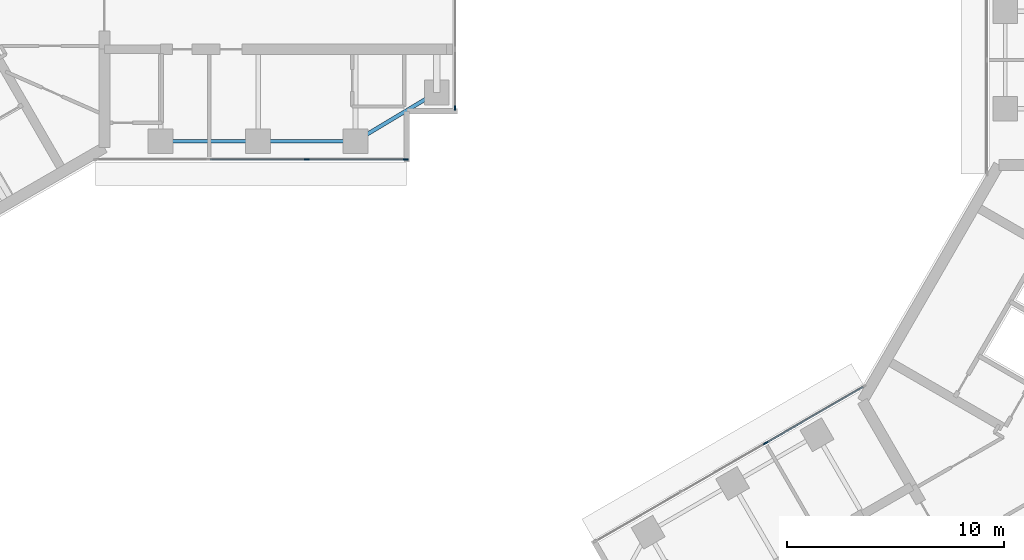
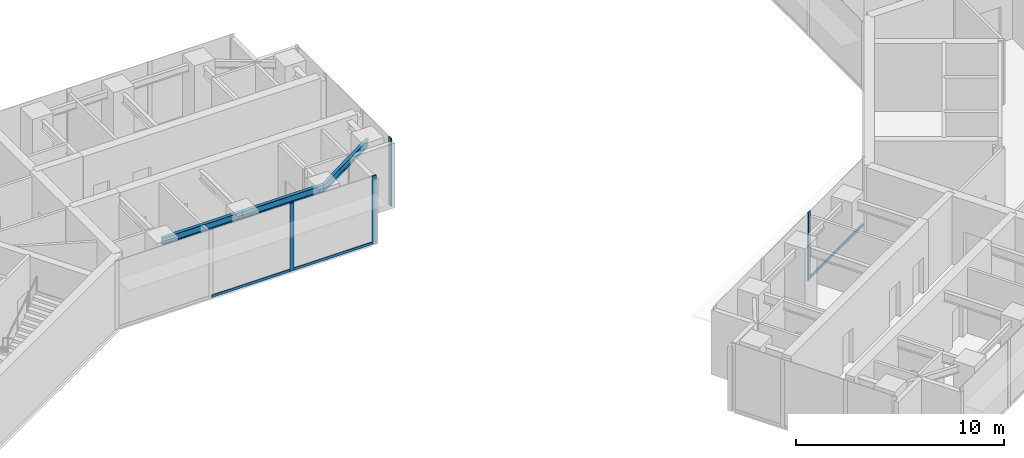
# One storey, part 4 of 17: 7 members, 3 beams, 3 elements without a shape of their own.
"""IFC4 building model written with IfcOpenShell, lengths in metres."""

from ifc_helpers import new_model, si_unit, direction, frame, origin, origin_2d, place, context, subcontext, project, spatial, rectangle, i_section, extrude, material, material_profile, profile_set, type_object, element, aggregate, save


model = new_model("IFC4")

# Units and contexts
model_context = context("Model", 3, precision=1e-05, world=origin(), true_north=direction((0.0, 1.0)))
body_context = subcontext(model_context, "Body", "Model", "MODEL_VIEW")
ifc_project = project(units=[si_unit("LENGTHUNIT", "METRE"), si_unit("AREAUNIT", "SQUARE_METRE"), si_unit("VOLUMEUNIT", "CUBIC_METRE"), si_unit("PLANEANGLEUNIT", "RADIAN"), si_unit("MASSUNIT", "GRAM", prefix="KILO")], contexts=[model_context])

# Site, building, storey
site_placement = place(None, origin())
site = spatial("IfcSite", under=ifc_project, at=site_placement, CompositionType="ELEMENT")
building_placement = place(site_placement, origin())
building = spatial("IfcBuilding", under=site, at=building_placement, Name="Upepo Twin Towers", CompositionType="ELEMENT")
storey_placement = place(building_placement, frame((0.0, 0.0, 202.5)))
storey = spatial("IfcBuildingStorey", under=building, at=storey_placement, Name="L49", CompositionType="ELEMENT", Elevation=202.5)

# Beams
ifc_material_1 = material(Name="Steel S355", Category="steel")
ifc_material_profile_1 = material_profile(ifc_material_1, i_section(OverallWidth=0.177978515625, OverallDepth=0.406494140625, WebThickness=0.0078125, FlangeThickness=0.0126953125, FilletRadius=0.01025390625, at=origin_2d()), Name="UB 406x178x60")
ifc_profile_set_1 = profile_set([ifc_material_profile_1], Name="Steel S355")
beam_type = type_object("IfcBeamType", Name="Beam UB 406x178x60", PredefinedType="BEAM", material=ifc_profile_set_1)
for number, where, z_axis, x_axis, name in (
    (1, (13.5, -6.0, 3.5966796875), (1.0, 0.0, 0.0), (0.0, 1.0, 0.0), "T1 edge beam AR 13.5-18.0"),
    (2, (18.0, -6.0, 3.5966796875), (1.0, 0.0, 0.0), (0.0, 1.0, 0.0), "T1 edge beam AR 18.0-22.5"),
):
    element("IfcBeam", number, at=place(storey_placement, frame(where, z_axis=z_axis, x_axis=x_axis)), inside=storey, type_object=beam_type, Name=name, PredefinedType="BEAM", context=body_context, shape_type="SweptSolid", body=[
        extrude(i_section(OverallWidth=0.177978515625, OverallDepth=0.406494140625, WebThickness=0.0078125, FlangeThickness=0.0126953125, FilletRadius=0.01025390625, at=origin_2d()), origin(), (0.0, 0.0, 1.0), 4.5),
    ])
beam_placement = place(storey_placement, frame((22.5, -6.0, 3.5966796875), z_axis=(0.857492925713, 0.514495755428, 0.0), x_axis=(-0.514495755428, 0.857492925713, 0.0)))
element("IfcBeam", 3, at=beam_placement, inside=storey, type_object=beam_type, Name="T1 nose edge beam AR", PredefinedType="BEAM", context=body_context, shape_type="SweptSolid", body=[
    extrude(i_section(OverallWidth=0.177978515625, OverallDepth=0.406494140625, WebThickness=0.0078125, FlangeThickness=0.0126953125, FilletRadius=0.01025390625, at=origin_2d()), origin(), (0.0, 0.0, 1.0), 4.373291015625),
])

# Curtain wall, members
ifc_material_2 = material(Name="Aluminium and fritted glass", Category="aluminium")
curtain_wall_type = type_object("IfcCurtainWallType", Name="Tower curtain wall TW3, fritted glass", PredefinedType="NOTDEFINED", material=ifc_material_2)
curtain_wall_1_placement = place(storey_placement, origin())
curtain_wall_1 = element("IfcCurtainWall", 4, at=curtain_wall_1_placement, inside=storey, type_object=curtain_wall_type, Name="T1 L49 wing A flank R curtain wall", PredefinedType="NOTDEFINED")
ifc_material_3 = material(Name="Aluminium mullion", Category="aluminium")
ifc_material_profile_2 = material_profile(ifc_material_3, rectangle(XDim=0.06494140625, YDim=0.22509765625, at=origin_2d()), Name="MULLION 65x225")
ifc_profile_set_2 = profile_set([ifc_material_profile_2], Name="Aluminium mullion")
member_type_1 = type_object("IfcMemberType", Name="Mullion 65x225 TW3", PredefinedType="MULLION", material=ifc_profile_set_2)
member_1_placement = place(storey_placement, frame((24.8173828125, -6.85009765625, 0.0), z_axis=(0.0, 0.0, 1.0), x_axis=(0.0, -1.0, 0.0)))
member_1 = element("IfcMember", 5, at=member_1_placement, type_object=member_type_1, Name="T1 L49 wing A flank R curtain wall mullion 1", PredefinedType="MULLION", context=body_context, shape_type="SweptSolid", body=[
    extrude(rectangle(XDim=0.06494140625, YDim=0.22509765625, at=origin_2d()), origin(), (0.0, 0.0, 1.0), 4.0),
])
member_2_placement = place(storey_placement, frame((20.25, -6.85009765625, 0.0), z_axis=(0.0, 0.0, 1.0), x_axis=(0.0, -1.0, 0.0)))
member_2 = element("IfcMember", 6, at=member_2_placement, type_object=member_type_1, Name="T1 L49 wing A flank R curtain wall mullion 2", PredefinedType="MULLION", context=body_context, shape_type="SweptSolid", body=[
    extrude(rectangle(XDim=0.06494140625, YDim=0.22509765625, at=origin_2d()), origin(), (0.0, 0.0, 1.0), 4.0),
])

# Curtain wall, member
curtain_wall_2_placement = place(storey_placement, origin())
curtain_wall_2 = element("IfcCurtainWall", 7, at=curtain_wall_2_placement, inside=storey, type_object=curtain_wall_type, Name="T1 L49 wing A nose curtain wall", PredefinedType="NOTDEFINED")
member_3_placement = place(storey_placement, frame((27.10009765625, -4.467529296875, 0.0), z_axis=(0.0, 0.0, 1.0), x_axis=(-1.0, 0.0, 0.0)))
member_3 = element("IfcMember", 8, at=member_3_placement, type_object=member_type_1, Name="T1 L49 wing A nose curtain wall mullion 1", PredefinedType="MULLION", context=body_context, shape_type="SweptSolid", body=[
    extrude(rectangle(XDim=0.06494140625, YDim=0.22509765625, at=origin_2d()), origin(), (0.0, 0.0, 1.0), 4.0),
])
aggregate(curtain_wall_2, [member_3])

curtain_wall_3_placement = place(storey_placement, origin())
curtain_wall_3 = element("IfcCurtainWall", 9, at=curtain_wall_3_placement, inside=storey, type_object=curtain_wall_type, Name="T2 L49 wing B flank R curtain wall", PredefinedType="NOTDEFINED")
member_4_placement = place(storey_placement, frame((41.43505859375, -19.942626953125, 0.0), z_axis=(0.0, 0.0, 1.0), x_axis=(-0.500000026527, 0.866025388469, 0.0)))
member_4 = element("IfcMember", 10, at=member_4_placement, type_object=member_type_1, Name="T2 L49 wing B flank R curtain wall mullion 3", PredefinedType="MULLION", context=body_context, shape_type="SweptSolid", body=[
    extrude(rectangle(XDim=0.06494140625, YDim=0.22509765625, at=origin_2d()), origin(), (0.0, 0.0, 1.0), 4.0),
])

# Member
ifc_material_4 = material(Name="Aluminium transom", Category="aluminium")
ifc_material_profile_3 = material_profile(ifc_material_4, rectangle(XDim=0.06494140625, YDim=0.14990234375, at=origin_2d()), Name="TRANSOM 65x150")
ifc_profile_set_3 = profile_set([ifc_material_profile_3], Name="Aluminium transom")
member_type_2 = type_object("IfcMemberType", Name="Transom 65x150 TW3", PredefinedType="USERDEFINED", material=ifc_profile_set_3)
member_5_placement = place(storey_placement, frame((24.784912109375, -6.85009765625, 0.074951171875), z_axis=(-1.0, 0.0, 0.0), x_axis=(0.0, -1.0, 0.0)))
member_5 = element("IfcMember", 11, at=member_5_placement, type_object=member_type_2, Name="T1 L49 wing A flank R curtain wall transom 1", ObjectType="TRANSOM", PredefinedType="USERDEFINED", context=body_context, shape_type="SweptSolid", body=[
    extrude(rectangle(XDim=0.06494140625, YDim=0.14990234375, at=origin_2d()), origin(), (0.0, 0.0, 1.0), 4.50244140625),
])

member_6_placement = place(storey_placement, frame((20.217529296875, -6.85009765625, 0.074951171875), z_axis=(-1.0, 0.0, 0.0), x_axis=(0.0, -1.0, 0.0)))
member_6 = element("IfcMember", 12, at=member_6_placement, type_object=member_type_2, Name="T1 L49 wing A flank R curtain wall transom 2", ObjectType="TRANSOM", PredefinedType="USERDEFINED", context=body_context, shape_type="SweptSolid", body=[
    extrude(rectangle(XDim=0.06494140625, YDim=0.14990234375, at=origin_2d()), origin(), (0.0, 0.0, 1.0), 4.43505859375),
])

aggregate(curtain_wall_1, [member_1, member_2, member_5, member_6])

member_7_placement = place(storey_placement, frame((41.463134765625, -19.926513671875, 0.074951171875), z_axis=(0.86602108507, 0.500007480159, 0.0), x_axis=(-0.500007480159, 0.86602108507, 0.0)))
member_7 = element("IfcMember", 13, at=member_7_placement, type_object=member_type_2, Name="T2 L49 wing B flank R curtain wall transom 3", ObjectType="TRANSOM", PredefinedType="USERDEFINED", context=body_context, shape_type="SweptSolid", body=[
    extrude(rectangle(XDim=0.06494140625, YDim=0.14990234375, at=origin_2d()), origin(), (0.0, 0.0, 1.0), 5.16552734375),
])

aggregate(curtain_wall_3, [member_4, member_7])

save(model, "model.ifc")
